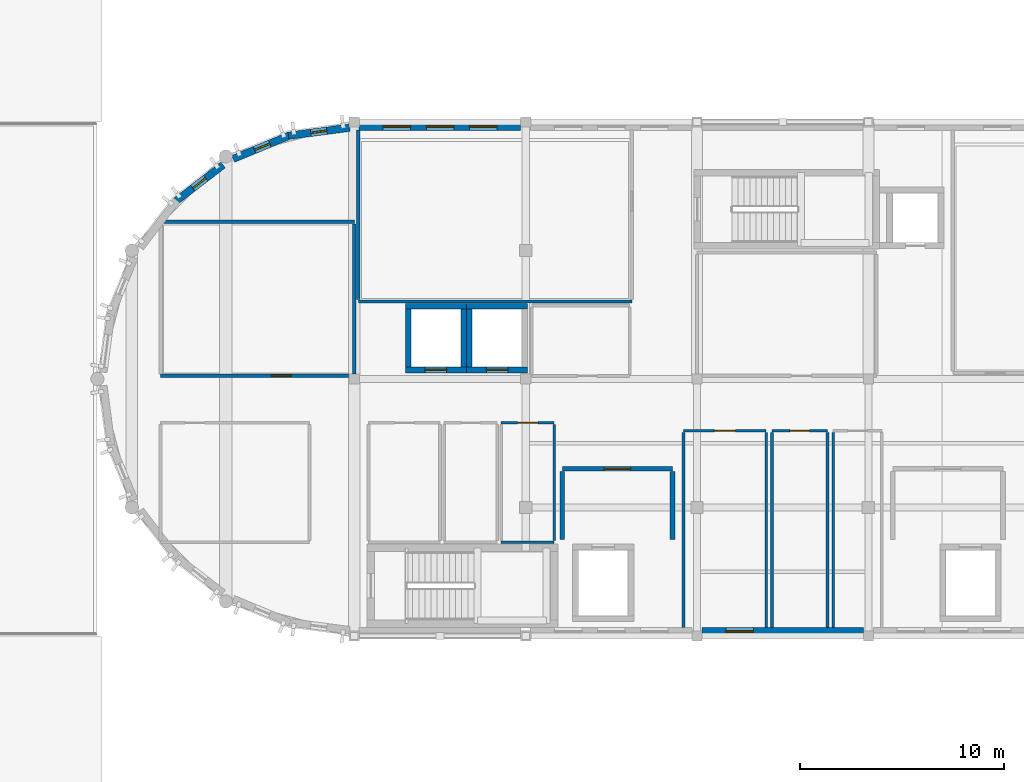
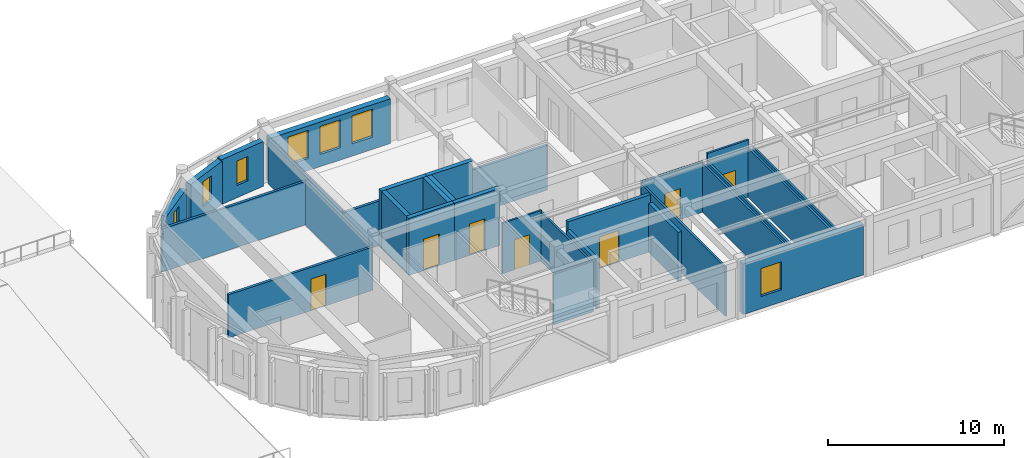
# One storey, part 4 of 12: 30 walls, 7 doors, 7 windows, 14 openings.
"""IFC4 building model written with IfcOpenShell, lengths in metres."""

from ifc_helpers import new_model, si_unit, direction, frame, frame_2d, origin, place, context, subcontext, project, spatial, rectangle, extrude, material, layer, layer_set, type_object, element, fill, save


model = new_model("IFC4")

# Units and contexts
model_context = context("Model", 3, precision=1e-05, world=origin(), true_north=direction((0.0, 1.0)))
body_context = subcontext(model_context, "Body", "Model", "MODEL_VIEW")
ifc_project = project(units=[si_unit("LENGTHUNIT", "METRE"), si_unit("AREAUNIT", "SQUARE_METRE"), si_unit("VOLUMEUNIT", "CUBIC_METRE"), si_unit("PLANEANGLEUNIT", "RADIAN"), si_unit("MASSUNIT", "GRAM", prefix="KILO")], contexts=[model_context])

# Site, building, storey
site_placement = place(None, origin())
site = spatial("IfcSite", under=ifc_project, at=site_placement, CompositionType="ELEMENT")
building_placement = place(site_placement, origin())
building = spatial("IfcBuilding", under=site, at=building_placement, Name="Tarnavel Promenade Courthouse", CompositionType="ELEMENT")
storey_placement = place(building_placement, frame((0.0, 0.0, 27.0)))
storey = spatial("IfcBuildingStorey", under=building, at=storey_placement, Name="L07", CompositionType="ELEMENT", Elevation=27.0)

# Walls
ifc_material_1 = material(Name="Acoustic Insulated Gypsum Stud Partition", Category="gypsum")
ifc_layer_1 = layer(ifc_material_1, 0.1650390625)
ifc_layer_set_1 = layer_set([ifc_layer_1], Name="Acoustic Insulated Gypsum Stud Partition")
wall_type_1 = type_object("IfcWallType", Name="Acoustic Insulated Gypsum Stud Partition WL-CHM-165 (165 mm)", PredefinedType="PARTITIONING", material=ifc_layer_set_1)
wall_1_placement = place(storey_placement, frame((72.39990234375, 95.60009765625, 0.0), z_axis=(0.0, 0.0, 1.0), x_axis=(-1.0, 0.0, 0.0)))
element("IfcWall", 1, at=wall_1_placement, inside=storey, type_object=wall_type_1, Name="L07 Appellate Judges' Chambers L07 Suite A Partition 0872", PredefinedType="PARTITIONING", context=body_context, shape_type="SweptSolid", body=[
    extrude(rectangle(XDim=13.39990234375, YDim=0.1650390625, at=frame_2d((6.699951171875, 0.0))), origin(), (0.0, 0.0, 1.0), 3.110107421875),
])
wall_2_placement = place(storey_placement, frame((59.0, 95.6923828125, 0.0), z_axis=(0.0, 0.0, 1.0), x_axis=(0.0, 1.0, 0.0)))
element("IfcWall", 2, at=wall_2_placement, inside=storey, type_object=wall_type_1, Name="L07 Appellate Judges' Chambers L07 Suite A Partition 0873", PredefinedType="PARTITIONING", context=body_context, shape_type="SweptSolid", body=[
    extrude(rectangle(XDim=8.3037109375, YDim=0.1650390625, at=frame_2d((4.15185546875, 0.0))), origin(), (0.0, 0.0, 1.0), 3.110107421875),
])
wall_3_placement = place(storey_placement, frame((49.300048828125, 99.5, 0.0), z_axis=(0.0, 0.0, 1.0), x_axis=(1.0, 0.0, 0.0)))
element("IfcWall", 3, at=wall_3_placement, inside=storey, type_object=wall_type_1, Name="L07 L07 West Drum Rotunda Chambers North Partition 0898", PredefinedType="PARTITIONING", context=body_context, shape_type="SweptSolid", body=[
    extrude(rectangle(XDim=9.5, YDim=0.1650390625, at=frame_2d((4.75, 0.0))), origin(), (0.0, 0.0, 1.0), 3.010009765625),
])

# Wall, opening, door
wall_4_placement = place(storey_placement, frame((58.800048828125, 91.949951171875, 0.0), z_axis=(0.0, 0.0, 1.0), x_axis=(-1.0, 0.0, 0.0)))
wall_4 = element("IfcWall", 4, at=wall_4_placement, inside=storey, type_object=wall_type_1, Name="L07 L07 West Drum Rotunda Chambers North Partition 0899", PredefinedType="PARTITIONING", context=body_context, shape_type="SweptSolid", body=[
    extrude(rectangle(XDim=9.5, YDim=0.1650390625, at=frame_2d((4.75, 0.0))), origin(), (0.0, 0.0, 1.0), 3.010009765625),
])
opening_1_placement = place(wall_4_placement, frame((3.0869140625, 0.0, 0.0)))
opening_1 = element("IfcOpeningElement", 5, at=opening_1_placement, cuts=wall_4, Name="Opening ID-04", PredefinedType="OPENING", context=body_context, shape_type="SweptSolid", body=[
    extrude(rectangle(XDim=0.97998046875, YDim=2.199951171875, at=frame_2d((0.489990234375, 1.10009765625))), frame((0.0, 0.092529296875, 0.0), z_axis=(0.0, -1.0, 0.0), x_axis=(1.0, 0.0, 0.0)), (0.0, 0.0, 1.0), 0.18505859375),
])
ifc_material_2 = material(Name="Solid Oak Judges Chambers Door")
door_type_1 = type_object("IfcDoorType", Name="Solid Oak Judges Chambers Door (DR-CHM-0980x2200)", OperationType="NOTDEFINED", PredefinedType="DOOR", material=ifc_material_2)
door_1_placement = place(opening_1_placement, origin())
door_1 = element("IfcDoor", 6, at=door_1_placement, inside=storey, type_object=door_type_1, Name="L07 L07 West Drum Rotunda Chambers North Door 0257", OperationType="SINGLE_SWING_RIGHT", OverallHeight=2.199951171875, OverallWidth=0.97998046875, PredefinedType="DOOR", context=body_context, shape_type="SweptSolid", body=[
    extrude(rectangle(XDim=0.97998046875, YDim=2.199951171875, at=frame_2d((0.489990234375, 1.10009765625))), frame((0.0, 0.02490234375, 0.0), z_axis=(0.0, -1.0, 0.0), x_axis=(1.0, 0.0, 0.0)), (0.0, 0.0, 1.0), 0.050048828125),
])
fill(opening_1, door_1)

# Walls
wall_5_placement = place(storey_placement, frame((58.800048828125, 99.407470703125, 0.0), z_axis=(0.0, 0.0, 1.0), x_axis=(0.0, -1.0, 0.0)))
element("IfcWall", 7, at=wall_5_placement, inside=storey, type_object=wall_type_1, Name="L07 L07 West Drum Rotunda Chambers North Partition 0901", PredefinedType="PARTITIONING", context=body_context, shape_type="SweptSolid", body=[
    extrude(rectangle(XDim=7.364990234375, YDim=0.1650390625, at=frame_2d((3.6826171875, 0.0))), origin(), (0.0, 0.0, 1.0), 3.110107421875),
])
ifc_material_3 = material(Name="Concrete C40/50", Category="concrete")
ifc_layer_2 = layer(ifc_material_3, 0.280029296875)
ifc_layer_set_2 = layer_set([ifc_layer_2], Name="Concrete C40/50")
wall_type_2 = type_object("IfcWallType", Name="Concrete C40/50 WL-SHR-280 (280 mm)", PredefinedType="SHEAR", material=ifc_layer_set_2)
wall_6_placement = place(storey_placement, frame((61.300048828125, 95.360107421875, 0.0), z_axis=(0.0, 0.0, 1.0), x_axis=(1.0, 0.0, 0.0)))
element("IfcWall", 8, at=wall_6_placement, inside=storey, type_object=wall_type_2, Name="L07 L-PUB1 Lift Shaft North Wall", PredefinedType="SHEAR", context=body_context, shape_type="SweptSolid", body=[
    extrude(rectangle(XDim=3.0, YDim=0.280029296875, at=frame_2d((1.5, 0.0))), origin(), (0.0, 0.0, 1.0), 3.97998046875),
])

# Wall, opening, door
wall_7_placement = place(storey_placement, frame((64.300048828125, 92.239990234375, 0.0), z_axis=(0.0, 0.0, 1.0), x_axis=(-1.0, 0.0, 0.0)))
wall_7 = element("IfcWall", 9, at=wall_7_placement, inside=storey, type_object=wall_type_2, Name="L07 L-PUB1 Lift Shaft South Wall", PredefinedType="SHEAR", context=body_context, shape_type="SweptSolid", body=[
    extrude(rectangle(XDim=3.0, YDim=0.280029296875, at=frame_2d((1.5, 0.0))), origin(), (0.0, 0.0, 1.0), 3.97998046875),
])
opening_2_placement = place(wall_7_placement, frame((0.97509765625, 0.0, 0.0)))
opening_2 = element("IfcOpeningElement", 10, at=opening_2_placement, cuts=wall_7, Name="Opening LD-02", PredefinedType="OPENING", context=body_context, shape_type="SweptSolid", body=[
    extrude(rectangle(XDim=1.050048828125, YDim=2.199951171875, at=frame_2d((0.52490234375, 1.10009765625))), frame((0.0, 0.14990234375, 0.0), z_axis=(0.0, -1.0, 0.0), x_axis=(1.0, 0.0, 0.0)), (0.0, 0.0, 1.0), 0.300048828125),
])
ifc_material_4 = material(Name="Brushed Bronze Passenger Lift Landing Sliding Door")
door_type_2 = type_object("IfcDoorType", Name="Brushed Bronze Passenger Lift Landing Sliding Door (LD-PUB-1050x2200)", OperationType="NOTDEFINED", PredefinedType="DOOR", material=ifc_material_4)
door_2_placement = place(opening_2_placement, origin())
door_2 = element("IfcDoor", 11, at=door_2_placement, inside=storey, type_object=door_type_2, Name="L07 L-PUB1 Lift Sliding Landing Door", OperationType="DOUBLE_DOOR_SLIDING", OverallHeight=2.199951171875, OverallWidth=1.050048828125, PredefinedType="DOOR", context=body_context, shape_type="SweptSolid", body=[
    extrude(rectangle(XDim=1.050048828125, YDim=2.199951171875, at=frame_2d((0.52490234375, 1.10009765625))), frame((0.0, 0.02490234375, 0.0), z_axis=(0.0, -1.0, 0.0), x_axis=(1.0, 0.0, 0.0)), (0.0, 0.0, 1.0), 0.050048828125),
])
fill(opening_2, door_2)

# Walls
for number, where, z_axis, x_axis, name in (
    (12, (61.43994140625, 92.3798828125, 0.0), (0.0, 0.0, 1.0), (0.0, 1.0, 0.0), "L07 L-PUB1 Lift Shaft West Wall"),
    (13, (64.159912109375, 95.219970703125, 0.0), (0.0, 0.0, 1.0), (0.0, -1.0, 0.0), "L07 L-PUB1 Lift Shaft East Wall"),
):
    element("IfcWall", number, at=place(storey_placement, frame(where, z_axis=z_axis, x_axis=x_axis)), inside=storey, type_object=wall_type_2, Name=name, PredefinedType="SHEAR", context=body_context, shape_type="SweptSolid", body=[
        extrude(rectangle(XDim=2.840087890625, YDim=0.280029296875, at=frame_2d((1.419921875, 0.0))), origin(), (0.0, 0.0, 1.0), 3.97998046875),
    ])
wall_8_placement = place(storey_placement, frame((64.300048828125, 95.360107421875, 0.0), z_axis=(0.0, 0.0, 1.0), x_axis=(1.0, 0.0, 0.0)))
element("IfcWall", 14, at=wall_8_placement, inside=storey, type_object=wall_type_2, Name="L07 L-PUB2 Lift Shaft North Wall", PredefinedType="SHEAR", context=body_context, shape_type="SweptSolid", body=[
    extrude(rectangle(XDim=3.0, YDim=0.280029296875, at=frame_2d((1.5, 0.0))), origin(), (0.0, 0.0, 1.0), 3.97998046875),
])

# Wall, opening, door
wall_9_placement = place(storey_placement, frame((67.300048828125, 92.239990234375, 0.0), z_axis=(0.0, 0.0, 1.0), x_axis=(-1.0, 0.0, 0.0)))
wall_9 = element("IfcWall", 15, at=wall_9_placement, inside=storey, type_object=wall_type_2, Name="L07 L-PUB2 Lift Shaft South Wall", PredefinedType="SHEAR", context=body_context, shape_type="SweptSolid", body=[
    extrude(rectangle(XDim=3.0, YDim=0.280029296875, at=frame_2d((1.5, 0.0))), origin(), (0.0, 0.0, 1.0), 3.97998046875),
])
opening_3_placement = place(wall_9_placement, frame((0.97509765625, 0.0, 0.0)))
opening_3 = element("IfcOpeningElement", 16, at=opening_3_placement, cuts=wall_9, Name="Opening LD-02", PredefinedType="OPENING", context=body_context, shape_type="SweptSolid", body=[
    extrude(rectangle(XDim=1.050048828125, YDim=2.199951171875, at=frame_2d((0.52490234375, 1.10009765625))), frame((0.0, 0.14990234375, 0.0), z_axis=(0.0, -1.0, 0.0), x_axis=(1.0, 0.0, 0.0)), (0.0, 0.0, 1.0), 0.300048828125),
])
door_3_placement = place(opening_3_placement, origin())
door_3 = element("IfcDoor", 17, at=door_3_placement, inside=storey, type_object=door_type_2, Name="L07 L-PUB2 Lift Sliding Landing Door", OperationType="DOUBLE_DOOR_SLIDING", OverallHeight=2.199951171875, OverallWidth=1.050048828125, PredefinedType="DOOR", context=body_context, shape_type="SweptSolid", body=[
    extrude(rectangle(XDim=1.050048828125, YDim=2.199951171875, at=frame_2d((0.52490234375, 1.10009765625))), frame((0.0, 0.02490234375, 0.0), z_axis=(0.0, -1.0, 0.0), x_axis=(1.0, 0.0, 0.0)), (0.0, 0.0, 1.0), 0.050048828125),
])
fill(opening_3, door_3)

# Wall
wall_10_placement = place(storey_placement, frame((64.43994140625, 92.3798828125, 0.0), z_axis=(0.0, 0.0, 1.0), x_axis=(0.0, 1.0, 0.0)))
element("IfcWall", 18, at=wall_10_placement, inside=storey, type_object=wall_type_2, Name="L07 L-PUB2 Lift Shaft West Wall", PredefinedType="SHEAR", context=body_context, shape_type="SweptSolid", body=[
    extrude(rectangle(XDim=2.840087890625, YDim=0.280029296875, at=frame_2d((1.419921875, 0.0))), origin(), (0.0, 0.0, 1.0), 3.97998046875),
])

# Wall, opening, door
ifc_material_5 = material(Name="Concrete Masonry Fire Compartment Wall", Category="masonry")
ifc_layer_3 = layer(ifc_material_5, 0.22998046875)
ifc_layer_set_3 = layer_set([ifc_layer_3], Name="Concrete Masonry Fire Compartment Wall")
wall_type_3 = type_object("IfcWallType", Name="Concrete Masonry Fire Compartment Wall WL-CMP-230 (230 mm)", PredefinedType="STANDARD", material=ifc_layer_set_3)
wall_11_placement = place(storey_placement, frame((69.0, 87.39990234375, 0.0), z_axis=(0.0, 0.0, 1.0), x_axis=(1.0, 0.0, 0.0)))
wall_11 = element("IfcWall", 19, at=wall_11_placement, inside=storey, type_object=wall_type_3, Name="L07 Firefighting Lobby L-FF1 Partition 0842", PredefinedType="STANDARD", context=body_context, shape_type="SweptSolid", body=[
    extrude(rectangle(XDim=5.39990234375, YDim=0.22998046875, at=frame_2d((2.699951171875, 0.0))), origin(), (0.0, 0.0, 1.0), 3.965087890625),
])
opening_4_placement = place(wall_11_placement, frame((2.050048828125, 0.0, 0.0)))
opening_4 = element("IfcOpeningElement", 20, at=opening_4_placement, cuts=wall_11, Name="Opening FD-03", PredefinedType="OPENING", context=body_context, shape_type="SweptSolid", body=[
    extrude(rectangle(XDim=1.300048828125, YDim=2.199951171875, at=frame_2d((0.64990234375, 1.10009765625))), frame((0.0, 0.125, 0.0), z_axis=(0.0, -1.0, 0.0), x_axis=(1.0, 0.0, 0.0)), (0.0, 0.0, 1.0), 0.25),
])
ifc_material_6 = material(Name="Smoke-Sealed Firefighting Lobby Fire Door")
door_type_3 = type_object("IfcDoorType", Name="Smoke-Sealed Firefighting Lobby Fire Door (DR-FFL-1300x2200)", OperationType="NOTDEFINED", PredefinedType="DOOR", material=ifc_material_6)
door_4_placement = place(opening_4_placement, origin())
door_4 = element("IfcDoor", 21, at=door_4_placement, inside=storey, type_object=door_type_3, Name="L07 Firefighting Lobby L-FF1 Door 0241", OperationType="SINGLE_SWING_RIGHT", OverallHeight=2.199951171875, OverallWidth=1.300048828125, PredefinedType="DOOR", context=body_context, shape_type="SweptSolid", body=[
    extrude(rectangle(XDim=1.300048828125, YDim=2.199951171875, at=frame_2d((0.64990234375, 1.10009765625))), frame((0.0, 0.02490234375, 0.0), z_axis=(0.0, -1.0, 0.0), x_axis=(1.0, 0.0, 0.0)), (0.0, 0.0, 1.0), 0.050048828125),
])
fill(opening_4, door_4)

# Walls
for number, where, z_axis, x_axis, name in (
    (22, (69.0, 83.925048828125, 0.0), (0.0, 0.0, 1.0), (0.0, 1.0, 0.0), "L07 Firefighting Lobby L-FF1 Partition 0843"),
    (23, (74.39990234375, 87.27490234375, 0.0), (0.0, 0.0, 1.0), (0.0, -1.0, 0.0), "L07 Firefighting Lobby L-FF1 Partition 0844"),
):
    element("IfcWall", number, at=place(storey_placement, frame(where, z_axis=z_axis, x_axis=x_axis)), inside=storey, type_object=wall_type_3, Name=name, PredefinedType="STANDARD", context=body_context, shape_type="SweptSolid", body=[
        extrude(rectangle(XDim=3.349853515625, YDim=0.22998046875, at=frame_2d((1.6748046875, 0.0))), origin(), (0.0, 0.0, 1.0), 3.409912109375),
    ])

# Wall, openings, windows
ifc_material_7 = material(Name="Cream Brick Insulated Cavity Facade Assembly", Category="masonry")
ifc_layer_4 = layer(ifc_material_7, 0.3798828125)
ifc_layer_set_4 = layer_set([ifc_layer_4], Name="Cream Brick Insulated Cavity Facade Assembly")
wall_type_4 = type_object("IfcWallType", Name="Cream Brick Insulated Cavity Facade Assembly WL-EXT-380 (380 mm)", PredefinedType="STANDARD", material=ifc_layer_set_4)
wall_12_placement = place(storey_placement, frame((59.037109375, 104.179931640625, 0.0), z_axis=(0.0, 0.0, 1.0), x_axis=(1.0, 0.0, 0.0)))
wall_12 = element("IfcWall", 24, at=wall_12_placement, inside=storey, type_object=wall_type_4, Name="L07 Bar North Limestone Facade 0170", PredefinedType="STANDARD", context=body_context, shape_type="SweptSolid", body=[
    extrude(rectangle(XDim=7.9208984375, YDim=0.3798828125, at=frame_2d((3.96044921875, 0.0))), origin(), (0.0, 0.0, 1.0), 3.110107421875),
])
opening_5_placement = place(wall_12_placement, frame((1.1748046875, 0.0, 0.85009765625)))
opening_5 = element("IfcOpeningElement", 25, at=opening_5_placement, cuts=wall_12, Name="Opening W-04", PredefinedType="OPENING", context=body_context, shape_type="SweptSolid", body=[
    extrude(rectangle(XDim=1.35009765625, YDim=1.949951171875, at=frame_2d((0.675048828125, 0.97509765625))), frame((0.0, 0.199951171875, 0.0), z_axis=(0.0, -1.0, 0.0), x_axis=(1.0, 0.0, 0.0)), (0.0, 0.0, 1.0), 0.39990234375),
])
opening_6_placement = place(wall_12_placement, frame((3.2880859375, 0.0, 0.85009765625)))
opening_6 = element("IfcOpeningElement", 26, at=opening_6_placement, cuts=wall_12, Name="Opening W-04", PredefinedType="OPENING", context=body_context, shape_type="SweptSolid", body=[
    extrude(rectangle(XDim=1.35009765625, YDim=1.949951171875, at=frame_2d((0.675048828125, 0.97509765625))), frame((0.0, 0.199951171875, 0.0), z_axis=(0.0, -1.0, 0.0), x_axis=(1.0, 0.0, 0.0)), (0.0, 0.0, 1.0), 0.39990234375),
])
opening_7_placement = place(wall_12_placement, frame((5.4013671875, 0.0, 0.85009765625)))
opening_7 = element("IfcOpeningElement", 27, at=opening_7_placement, cuts=wall_12, Name="Opening W-04", PredefinedType="OPENING", context=body_context, shape_type="SweptSolid", body=[
    extrude(rectangle(XDim=1.35009765625, YDim=1.949951171875, at=frame_2d((0.675048828125, 0.97509765625))), frame((0.0, 0.199951171875, 0.0), z_axis=(0.0, -1.0, 0.0), x_axis=(1.0, 0.0, 0.0)), (0.0, 0.0, 1.0), 0.39990234375),
])
ifc_material_8 = material(Name="Triple Low-E Glazed Bronze-Clad Window Assembly")
window_type_1 = type_object("IfcWindowType", Name="Triple-Glazed Bronze-Clad Timber-Aluminium WIN-CHM-1350x1950", PartitioningType="SINGLE_PANEL", PredefinedType="WINDOW", material=ifc_material_8)
window_1_placement = place(opening_5_placement, origin())
window_1 = element("IfcWindow", 28, at=window_1_placement, inside=storey, type_object=window_type_1, Name="L07 Exterior Window 0133", OverallHeight=1.949951171875, OverallWidth=1.35009765625, PartitioningType="SINGLE_PANEL", PredefinedType="WINDOW", context=body_context, shape_type="SweptSolid", body=[
    extrude(rectangle(XDim=1.35009765625, YDim=1.949951171875, at=frame_2d((0.675048828125, 0.97509765625))), frame((0.0, 0.030029296875, 0.0), z_axis=(0.0, -1.0, 0.0), x_axis=(1.0, 0.0, 0.0)), (0.0, 0.0, 1.0), 0.06005859375),
])
fill(opening_5, window_1)
window_2_placement = place(opening_6_placement, origin())
window_2 = element("IfcWindow", 29, at=window_2_placement, inside=storey, type_object=window_type_1, Name="L07 Exterior Window 0134", OverallHeight=1.949951171875, OverallWidth=1.35009765625, PartitioningType="SINGLE_PANEL", PredefinedType="WINDOW", context=body_context, shape_type="SweptSolid", body=[
    extrude(rectangle(XDim=1.35009765625, YDim=1.949951171875, at=frame_2d((0.675048828125, 0.97509765625))), frame((0.0, 0.030029296875, 0.0), z_axis=(0.0, -1.0, 0.0), x_axis=(1.0, 0.0, 0.0)), (0.0, 0.0, 1.0), 0.06005859375),
])
fill(opening_6, window_2)
window_3_placement = place(opening_7_placement, origin())
window_3 = element("IfcWindow", 30, at=window_3_placement, inside=storey, type_object=window_type_1, Name="L07 Exterior Window 0135", OverallHeight=1.949951171875, OverallWidth=1.35009765625, PartitioningType="SINGLE_PANEL", PredefinedType="WINDOW", context=body_context, shape_type="SweptSolid", body=[
    extrude(rectangle(XDim=1.35009765625, YDim=1.949951171875, at=frame_2d((0.675048828125, 0.97509765625))), frame((0.0, 0.030029296875, 0.0), z_axis=(0.0, -1.0, 0.0), x_axis=(1.0, 0.0, 0.0)), (0.0, 0.0, 1.0), 0.06005859375),
])
fill(opening_7, window_3)

# Wall, opening, window
wall_13_placement = place(storey_placement, frame((83.758056640625, 79.419921875, 0.0), z_axis=(0.0, 0.0, 1.0), x_axis=(-1.0, 0.0, 0.0)))
wall_13 = element("IfcWall", 31, at=wall_13_placement, inside=storey, type_object=wall_type_4, Name="L07 Bar South Limestone Facade 0177", PredefinedType="STANDARD", context=body_context, shape_type="SweptSolid", body=[
    extrude(rectangle(XDim=7.916015625, YDim=0.3798828125, at=frame_2d((3.9580078125, 0.0))), origin(), (0.0, 0.0, 1.0), 3.510009765625),
])
opening_8_placement = place(wall_13_placement, frame((5.396240234375, 0.0, 0.85009765625)))
opening_8 = element("IfcOpeningElement", 32, at=opening_8_placement, cuts=wall_13, Name="Opening W-04", PredefinedType="OPENING", context=body_context, shape_type="SweptSolid", body=[
    extrude(rectangle(XDim=1.35009765625, YDim=1.949951171875, at=frame_2d((0.675048828125, 0.97509765625))), frame((0.0, 0.199951171875, 0.0), z_axis=(0.0, -1.0, 0.0), x_axis=(1.0, 0.0, 0.0)), (0.0, 0.0, 1.0), 0.39990234375),
])
window_4_placement = place(opening_8_placement, origin())
window_4 = element("IfcWindow", 33, at=window_4_placement, inside=storey, type_object=window_type_1, Name="L07 Exterior Window 0146", OverallHeight=1.949951171875, OverallWidth=1.35009765625, PartitioningType="SINGLE_PANEL", PredefinedType="WINDOW", context=body_context, shape_type="SweptSolid", body=[
    extrude(rectangle(XDim=1.35009765625, YDim=1.949951171875, at=frame_2d((0.675048828125, 0.97509765625))), frame((0.0, 0.030029296875, 0.0), z_axis=(0.0, -1.0, 0.0), x_axis=(1.0, 0.0, 0.0)), (0.0, 0.0, 1.0), 0.06005859375),
])
fill(opening_8, window_4)

# Wall, opening, door
ifc_material_9 = material(Name="Metal-Stud Acoustic Gypsum Partition", Category="gypsum")
ifc_layer_5 = layer(ifc_material_9, 0.135009765625)
ifc_layer_set_5 = layer_set([ifc_layer_5], Name="Metal-Stud Acoustic Gypsum Partition")
wall_type_5 = type_object("IfcWallType", Name="Metal-Stud Acoustic Gypsum Partition WL-OFF-135 (135 mm)", PredefinedType="PARTITIONING", material=ifc_layer_set_5)
wall_14_placement = place(storey_placement, frame((74.93994140625, 89.260009765625, 0.0), z_axis=(0.0, 0.0, 1.0), x_axis=(1.0, 0.0, 0.0)))
wall_14 = element("IfcWall", 34, at=wall_14_placement, inside=storey, type_object=wall_type_5, Name="L07 Appellate Judicial Conference Room Partition 0889", PredefinedType="PARTITIONING", context=body_context, shape_type="SweptSolid", body=[
    extrude(rectangle(XDim=4.052978515625, YDim=0.135009765625, at=frame_2d((2.0263671875, 0.0))), origin(), (0.0, 0.0, 1.0), 3.510009765625),
])
opening_9_placement = place(wall_14_placement, frame((1.5166015625, 0.0, 0.0)))
opening_9 = element("IfcOpeningElement", 35, at=opening_9_placement, cuts=wall_14, Name="Opening ID-07", PredefinedType="OPENING", context=body_context, shape_type="SweptSolid", body=[
    extrude(rectangle(XDim=1.02001953125, YDim=2.14990234375, at=frame_2d((0.510009765625, 1.074951171875))), frame((0.0, 0.077392578125, 0.0), z_axis=(0.0, -1.0, 0.0), x_axis=(1.0, 0.0, 0.0)), (0.0, 0.0, 1.0), 0.155029296875),
])
ifc_material_10 = material(Name="Acoustic Timber Seminar Room Door", Category="wood")
door_type_4 = type_object("IfcDoorType", Name="Acoustic Timber Seminar Room Door (DR-MTG-1020x2150)", OperationType="NOTDEFINED", PredefinedType="DOOR", material=ifc_material_10)
door_5_placement = place(opening_9_placement, origin())
door_5 = element("IfcDoor", 36, at=door_5_placement, inside=storey, type_object=door_type_4, Name="L07 Appellate Judicial Conference Room Door 0254", OperationType="SINGLE_SWING_LEFT", OverallHeight=2.14990234375, OverallWidth=1.02001953125, PredefinedType="DOOR", context=body_context, shape_type="SweptSolid", body=[
    extrude(rectangle(XDim=1.02001953125, YDim=2.14990234375, at=frame_2d((0.510009765625, 1.074951171875))), frame((0.0, 0.02490234375, 0.0), z_axis=(0.0, -1.0, 0.0), x_axis=(1.0, 0.0, 0.0)), (0.0, 0.0, 1.0), 0.050048828125),
])
fill(opening_9, door_5)

# Walls
for number, where, z_axis, x_axis, name in (
    (37, (74.93994140625, 79.60400390625, 0.0), (0.0, 0.0, 1.0), (0.0, 1.0, 0.0), "L07 Appellate Judicial Conference Room Partition 0890"),
    (38, (78.992919921875, 89.1826171875, 0.0), (0.0, 0.0, 1.0), (0.0, -1.0, 0.0), "L07 Appellate Judicial Conference Room Partition 0891"),
):
    element("IfcWall", number, at=place(storey_placement, frame(where, z_axis=z_axis, x_axis=x_axis)), inside=storey, type_object=wall_type_5, Name=name, PredefinedType="PARTITIONING", context=body_context, shape_type="SweptSolid", body=[
        extrude(rectangle(XDim=9.57861328125, YDim=0.135009765625, at=frame_2d((4.789306640625, 0.0))), origin(), (0.0, 0.0, 1.0), 3.409912109375),
    ])

# Wall, opening, door
wall_15_placement = place(storey_placement, frame((79.27294921875, 89.260009765625, 0.0), z_axis=(0.0, 0.0, 1.0), x_axis=(1.0, 0.0, 0.0)))
wall_15 = element("IfcWall", 39, at=wall_15_placement, inside=storey, type_object=wall_type_5, Name="L07 Senior Law Clerks' Suite L07 Partition 0892", PredefinedType="PARTITIONING", context=body_context, shape_type="SweptSolid", body=[
    extrude(rectangle(XDim=2.719970703125, YDim=0.135009765625, at=frame_2d((1.35986328125, 0.0))), origin(), (0.0, 0.0, 1.0), 3.965087890625),
])
opening_10_placement = place(wall_15_placement, frame((0.885009765625, 0.0, 0.0)))
opening_10 = element("IfcOpeningElement", 40, at=opening_10_placement, cuts=wall_15, Name="Opening ID-06", PredefinedType="OPENING", context=body_context, shape_type="SweptSolid", body=[
    extrude(rectangle(XDim=0.949951171875, YDim=2.14990234375, at=frame_2d((0.47509765625, 1.074951171875))), frame((0.0, 0.077392578125, 0.0), z_axis=(0.0, -1.0, 0.0), x_axis=(1.0, 0.0, 0.0)), (0.0, 0.0, 1.0), 0.155029296875),
])
ifc_material_11 = material(Name="Acoustic Timber Veneer Office Door", Category="wood")
door_type_5 = type_object("IfcDoorType", Name="Acoustic Timber Veneer Office Door (DR-OFF-0950x2150)", OperationType="NOTDEFINED", PredefinedType="DOOR", material=ifc_material_11)
door_6_placement = place(opening_10_placement, origin())
door_6 = element("IfcDoor", 41, at=door_6_placement, inside=storey, type_object=door_type_5, Name="L07 Senior Law Clerks' Suite L07 Door 0255", OperationType="SINGLE_SWING_RIGHT", OverallHeight=2.14990234375, OverallWidth=0.949951171875, PredefinedType="DOOR", context=body_context, shape_type="SweptSolid", body=[
    extrude(rectangle(XDim=0.949951171875, YDim=2.14990234375, at=frame_2d((0.47509765625, 1.074951171875))), frame((0.0, 0.02490234375, 0.0), z_axis=(0.0, -1.0, 0.0), x_axis=(1.0, 0.0, 0.0)), (0.0, 0.0, 1.0), 0.050048828125),
])
fill(opening_10, door_6)

# Walls
for number, where, z_axis, x_axis, name in (
    (42, (79.27294921875, 79.60400390625, 0.0), (0.0, 0.0, 1.0), (0.0, 1.0, 0.0), "L07 Senior Law Clerks' Suite L07 Partition 0893"),
    (43, (81.992919921875, 89.1826171875, 0.0), (0.0, 0.0, 1.0), (0.0, -1.0, 0.0), "L07 Senior Law Clerks' Suite L07 Partition 0894"),
    (44, (82.27294921875, 79.60400390625, 0.0), (0.0, 0.0, 1.0), (0.0, 1.0, 0.0), "L07 Judicial Ethics Secretariat Partition 0896"),
):
    element("IfcWall", number, at=place(storey_placement, frame(where, z_axis=z_axis, x_axis=x_axis)), inside=storey, type_object=wall_type_5, Name=name, PredefinedType="PARTITIONING", context=body_context, shape_type="SweptSolid", body=[
        extrude(rectangle(XDim=9.57861328125, YDim=0.135009765625, at=frame_2d((4.789306640625, 0.0))), origin(), (0.0, 0.0, 1.0), 3.409912109375),
    ])

# Wall, opening, door
ifc_material_12 = material(Name="Moisture-Resistant Tile-Backed Stud Partition", Category="gypsum")
ifc_layer_6 = layer(ifc_material_12, 0.125)
ifc_layer_set_6 = layer_set([ifc_layer_6], Name="Moisture-Resistant Tile-Backed Stud Partition")
wall_type_6 = type_object("IfcWallType", Name="Moisture-Resistant Tile-Backed Stud Partition WL-WET-125 (125 mm)", PredefinedType="PARTITIONING", material=ifc_layer_set_6)
wall_16_placement = place(storey_placement, frame((66.0, 89.64990234375, 0.0), z_axis=(0.0, 0.0, 1.0), x_axis=(1.0, 0.0, 0.0)))
wall_16 = element("IfcWall", 45, at=wall_16_placement, inside=storey, type_object=wall_type_6, Name="L07 Accessible WC Partition 0852", PredefinedType="PARTITIONING", context=body_context, shape_type="SweptSolid", body=[
    extrude(rectangle(XDim=2.60009765625, YDim=0.125, at=frame_2d((1.300048828125, 0.0))), origin(), (0.0, 0.0, 1.0), 3.510009765625),
])
opening_11_placement = place(wall_16_placement, frame((0.800048828125, 0.0, 0.0)))
opening_11 = element("IfcOpeningElement", 46, at=opening_11_placement, cuts=wall_16, Name="Opening ID-09", PredefinedType="OPENING", context=body_context, shape_type="SweptSolid", body=[
    extrude(rectangle(XDim=1.0, YDim=2.10009765625, at=frame_2d((0.5, 1.050048828125))), frame((0.0, 0.072509765625, 0.0), z_axis=(0.0, -1.0, 0.0), x_axis=(1.0, 0.0, 0.0)), (0.0, 0.0, 1.0), 0.14501953125),
])
ifc_material_13 = material(Name="Wide Accessible Restroom Outward Door")
door_type_6 = type_object("IfcDoorType", Name="Wide Accessible Restroom Outward Door (DR-AWC-1000x2100)", OperationType="NOTDEFINED", PredefinedType="DOOR", material=ifc_material_13)
door_7_placement = place(opening_11_placement, origin())
door_7 = element("IfcDoor", 47, at=door_7_placement, inside=storey, type_object=door_type_6, Name="L07 Accessible WC Door 0244", OperationType="SINGLE_SWING_LEFT", OverallHeight=2.10009765625, OverallWidth=1.0, PredefinedType="DOOR", context=body_context, shape_type="SweptSolid", body=[
    extrude(rectangle(XDim=1.0, YDim=2.10009765625, at=frame_2d((0.5, 1.050048828125))), frame((0.0, 0.02490234375, 0.0), z_axis=(0.0, -1.0, 0.0), x_axis=(1.0, 0.0, 0.0)), (0.0, 0.0, 1.0), 0.050048828125),
])
fill(opening_11, door_7)

# Walls
wall_17_placement = place(storey_placement, frame((68.60009765625, 83.800048828125, 0.0), z_axis=(0.0, 0.0, 1.0), x_axis=(-1.0, 0.0, 0.0)))
element("IfcWall", 48, at=wall_17_placement, inside=storey, type_object=wall_type_6, Name="L07 Accessible WC Partition 0853", PredefinedType="PARTITIONING", context=body_context, shape_type="SweptSolid", body=[
    extrude(rectangle(XDim=2.60009765625, YDim=0.125, at=frame_2d((1.300048828125, 0.0))), origin(), (0.0, 0.0, 1.0), 3.510009765625),
])
wall_18_placement = place(storey_placement, frame((68.60009765625, 89.577392578125, 0.0), z_axis=(0.0, 0.0, 1.0), x_axis=(0.0, -1.0, 0.0)))
element("IfcWall", 49, at=wall_18_placement, inside=storey, type_object=wall_type_6, Name="L07 Accessible WC Partition 0855", PredefinedType="PARTITIONING", context=body_context, shape_type="SweptSolid", body=[
    extrude(rectangle(XDim=5.704833984375, YDim=0.125, at=frame_2d((2.8525390625, 0.0))), origin(), (0.0, 0.0, 1.0), 3.409912109375),
])

# Wall, opening, window
ifc_material_14 = material(Name="Patinated Copper-Bronze Insulated Drum Wall Assembly", Category="masonry")
ifc_layer_7 = layer(ifc_material_14, 0.364990234375)
ifc_layer_set_7 = layer_set([ifc_layer_7], Name="Patinated Copper-Bronze Insulated Drum Wall Assembly")
wall_type_7 = type_object("IfcWallType", Name="Patinated Copper-Bronze Insulated Drum Wall Assembly WL-DRUM-365 (365 mm)", PredefinedType="ELEMENTEDWALL", material=ifc_layer_set_7)
wall_19_placement = place(storey_placement, frame((58.57275390625, 104.117919921875, 0.0), z_axis=(0.0, 0.0, 1.0), x_axis=(-0.991449079029, -0.130494151946, 0.0)))
wall_19 = element("IfcWall", 50, at=wall_19_placement, inside=storey, type_object=wall_type_7, Name="L07 W Copper Drum Chord Wall 01 0180", PredefinedType="ELEMENTEDWALL", context=body_context, shape_type="SweptSolid", body=[
    extrude(rectangle(XDim=3.027099609375, YDim=0.364990234375, at=frame_2d((1.513671875, 0.0))), origin(), (0.0, 0.0, 1.0), 3.110107421875),
])
opening_12_placement = place(wall_19_placement, frame((1.127685546875, 0.0, 0.85009765625)))
opening_12 = element("IfcOpeningElement", 51, at=opening_12_placement, cuts=wall_19, Name="Opening W-09", PredefinedType="OPENING", context=body_context, shape_type="SweptSolid", body=[
    extrude(rectangle(XDim=0.800048828125, YDim=1.699951171875, at=frame_2d((0.39990234375, 0.85009765625))), frame((0.0, 0.1923828125, 0.0), z_axis=(0.0, -1.0, 0.0), x_axis=(1.0, 0.0, 0.0)), (0.0, 0.0, 1.0), 0.385009765625),
])
window_type_2 = type_object("IfcWindowType", Name="Triple-Glazed Bronze-Clad Timber-Aluminium WIN-DRM-0800x1700", PartitioningType="SINGLE_PANEL", PredefinedType="WINDOW", material=ifc_material_8)
window_5_placement = place(opening_12_placement, origin())
window_5 = element("IfcWindow", 52, at=window_5_placement, inside=storey, type_object=window_type_2, Name="L07 Exterior Window 0150", OverallHeight=1.699951171875, OverallWidth=0.800048828125, PartitioningType="SINGLE_PANEL", PredefinedType="WINDOW", context=body_context, shape_type="SweptSolid", body=[
    extrude(rectangle(XDim=0.800048828125, YDim=1.699951171875, at=frame_2d((0.39990234375, 0.85009765625))), frame((0.0, 0.030029296875, 0.0), z_axis=(0.0, -1.0, 0.0), x_axis=(1.0, 0.0, 0.0)), (0.0, 0.0, 1.0), 0.06005859375),
])
fill(opening_12, window_5)

wall_20_placement = place(storey_placement, frame((55.634521484375, 103.73974609375, 0.0), z_axis=(0.0, 0.0, 1.0), x_axis=(-0.923872366395, -0.382700732442, 0.0)))
wall_20 = element("IfcWall", 53, at=wall_20_placement, inside=storey, type_object=wall_type_7, Name="L07 W Copper Drum Chord Wall 02 0181", PredefinedType="ELEMENTEDWALL", context=body_context, shape_type="SweptSolid", body=[
    extrude(rectangle(XDim=3.00732421875, YDim=0.364990234375, at=frame_2d((1.503662109375, 0.0))), origin(), (0.0, 0.0, 1.0), 3.010009765625),
])
opening_13_placement = place(wall_20_placement, frame((1.06201171875, 0.0, 0.85009765625)))
opening_13 = element("IfcOpeningElement", 54, at=opening_13_placement, cuts=wall_20, Name="Opening W-09", PredefinedType="OPENING", context=body_context, shape_type="SweptSolid", body=[
    extrude(rectangle(XDim=0.800048828125, YDim=1.699951171875, at=frame_2d((0.39990234375, 0.85009765625))), frame((0.0, 0.1923828125, 0.0), z_axis=(0.0, -1.0, 0.0), x_axis=(1.0, 0.0, 0.0)), (0.0, 0.0, 1.0), 0.385009765625),
])
window_6_placement = place(opening_13_placement, origin())
window_6 = element("IfcWindow", 55, at=window_6_placement, inside=storey, type_object=window_type_2, Name="L07 Exterior Window 0151", OverallHeight=1.699951171875, OverallWidth=0.800048828125, PartitioningType="SINGLE_PANEL", PredefinedType="WINDOW", context=body_context, shape_type="SweptSolid", body=[
    extrude(rectangle(XDim=0.800048828125, YDim=1.699951171875, at=frame_2d((0.39990234375, 0.85009765625))), frame((0.0, 0.030029296875, 0.0), z_axis=(0.0, -1.0, 0.0), x_axis=(1.0, 0.0, 0.0)), (0.0, 0.0, 1.0), 0.06005859375),
])
fill(opening_13, window_6)

wall_21_placement = place(storey_placement, frame((52.362548828125, 102.29150390625, 0.0), z_axis=(0.0, 0.0, 1.0), x_axis=(-0.793318703663, -0.608806565682, 0.0)))
wall_21 = element("IfcWall", 56, at=wall_21_placement, inside=storey, type_object=wall_type_7, Name="L07 W Copper Drum Chord Wall 03 0182", PredefinedType="ELEMENTEDWALL", context=body_context, shape_type="SweptSolid", body=[
    extrude(rectangle(XDim=2.92431640625, YDim=0.364990234375, at=frame_2d((1.462158203125, 0.0))), origin(), (0.0, 0.0, 1.0), 3.010009765625),
])
opening_14_placement = place(wall_21_placement, frame((1.06201171875, 0.0, 0.85009765625)))
opening_14 = element("IfcOpeningElement", 57, at=opening_14_placement, cuts=wall_21, Name="Opening W-09", PredefinedType="OPENING", context=body_context, shape_type="SweptSolid", body=[
    extrude(rectangle(XDim=0.800048828125, YDim=1.699951171875, at=frame_2d((0.39990234375, 0.85009765625))), frame((0.0, 0.1923828125, 0.0), z_axis=(0.0, -1.0, 0.0), x_axis=(1.0, 0.0, 0.0)), (0.0, 0.0, 1.0), 0.385009765625),
])
window_7_placement = place(opening_14_placement, origin())
window_7 = element("IfcWindow", 58, at=window_7_placement, inside=storey, type_object=window_type_2, Name="L07 Exterior Window 0152", OverallHeight=1.699951171875, OverallWidth=0.800048828125, PartitioningType="SINGLE_PANEL", PredefinedType="WINDOW", context=body_context, shape_type="SweptSolid", body=[
    extrude(rectangle(XDim=0.800048828125, YDim=1.699951171875, at=frame_2d((0.39990234375, 0.85009765625))), frame((0.0, 0.030029296875, 0.0), z_axis=(0.0, -1.0, 0.0), x_axis=(1.0, 0.0, 0.0)), (0.0, 0.0, 1.0), 0.06005859375),
])
fill(opening_14, window_7)

save(model, "model.ifc")
